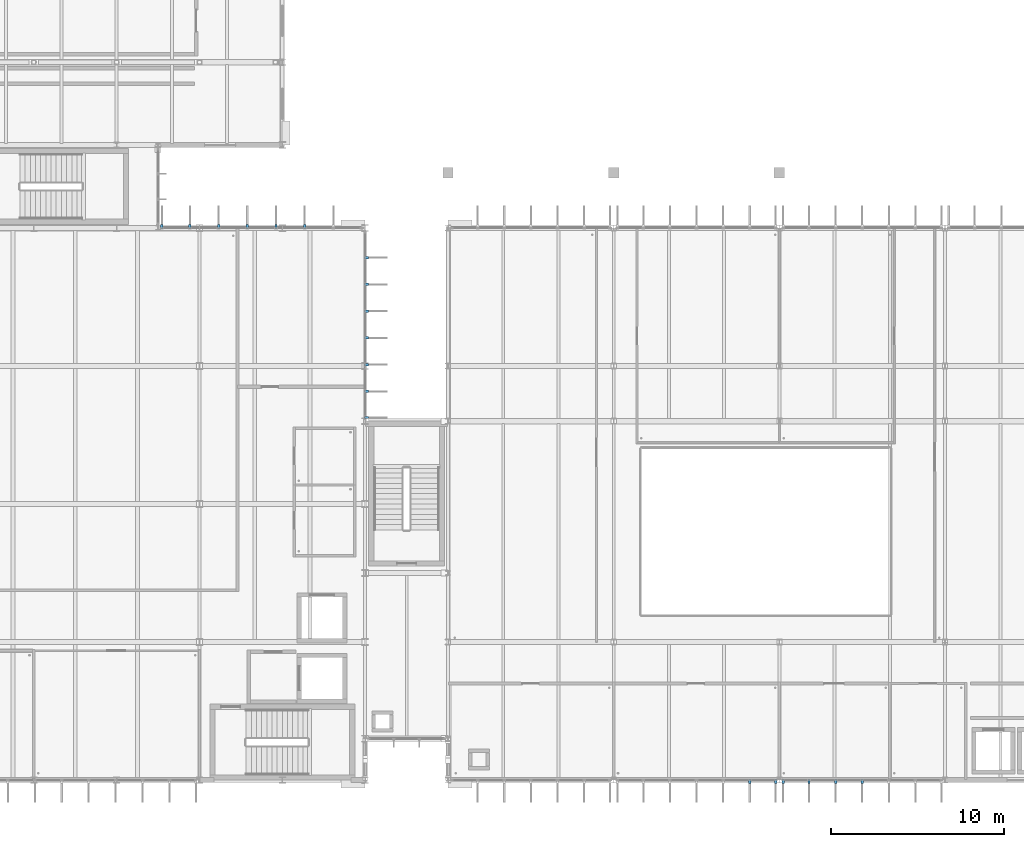
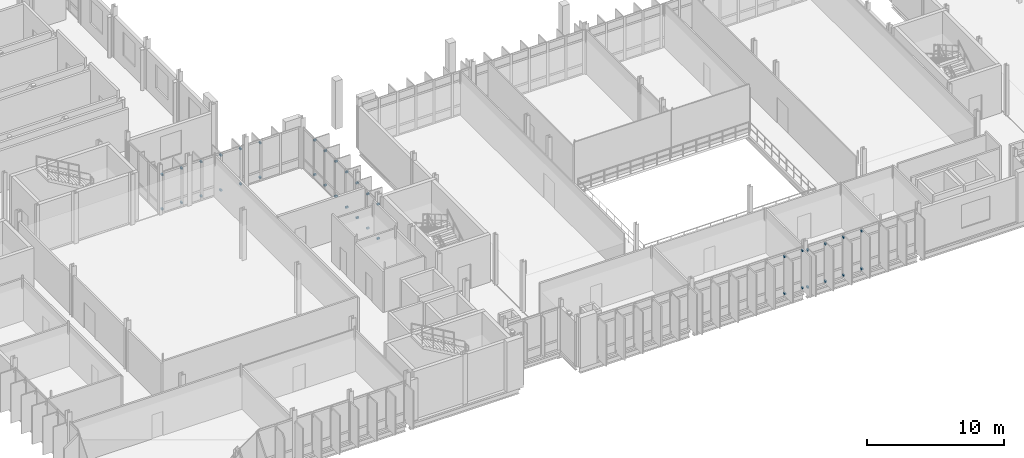
# One storey, part 94 of 110: 38 discrete accessories.
"""IFC4 building model written with IfcOpenShell, lengths in metres."""

from ifc_helpers import new_model, si_unit, direction, frame, origin, origin_2d, place, context, subcontext, project, spatial, rectangle, extrude, material, type_object, element, save


model = new_model("IFC4")

# Units and contexts
model_context = context("Model", 3, precision=1e-05, world=origin(), true_north=direction((0.0, 1.0)))
body_context = subcontext(model_context, "Body", "Model", "MODEL_VIEW")
ifc_project = project(units=[si_unit("LENGTHUNIT", "METRE"), si_unit("AREAUNIT", "SQUARE_METRE"), si_unit("VOLUMEUNIT", "CUBIC_METRE"), si_unit("PLANEANGLEUNIT", "RADIAN"), si_unit("MASSUNIT", "GRAM", prefix="KILO")], contexts=[model_context])

# Site, building, storey
site_placement = place(None, origin())
site = spatial("IfcSite", under=ifc_project, at=site_placement, CompositionType="ELEMENT")
building_placement = place(site_placement, origin())
building = spatial("IfcBuilding", under=site, at=building_placement, Name="Dunescarp Central Library", CompositionType="ELEMENT")
storey_placement = place(building_placement, frame((0.0, 0.0, 9.60009765625)))
storey = spatial("IfcBuildingStorey", under=building, at=storey_placement, Name="L02", CompositionType="ELEMENT", Elevation=9.60009765625)

# Discrete accessories
ifc_material = material(Name="Stainless steel Grade 316L", Category="steel")
discrete_accessory_type = type_object("IfcDiscreteAccessoryType", Name="ARC-ACC-BRK", PredefinedType="BRACKET", material=ifc_material)
for number, where, z_axis, x_axis, name in (
    (1, (21.81494140625, 36.8798828125, 0.27685546875), (0.0, 0.0, 1.0), (0.0, 1.0, 0.0), "Fin bracket BRK-FIN-L02-0093-B"),
    (2, (21.81494140625, 36.8798828125, 3.35498046875), (0.0, 0.0, 1.0), (0.0, 1.0, 0.0), "Fin bracket BRK-FIN-L02-0093-T"),
    (3, (23.43896484375, 36.8798828125, 0.2900390625), (0.0, 0.0, 1.0), (0.0, 1.0, 0.0), "Fin bracket BRK-FIN-L02-0094-B"),
    (4, (23.43896484375, 36.8798828125, 3.35498046875), (0.0, 0.0, 1.0), (0.0, 1.0, 0.0), "Fin bracket BRK-FIN-L02-0094-T"),
    (5, (25.10400390625, 36.8798828125, 0.27392578125), (0.0, 0.0, 1.0), (0.0, 1.0, 0.0), "Fin bracket BRK-FIN-L02-0095-B"),
    (6, (25.10400390625, 36.8798828125, 3.35498046875), (0.0, 0.0, 1.0), (0.0, 1.0, 0.0), "Fin bracket BRK-FIN-L02-0095-T"),
    (7, (26.76806640625, 36.8798828125, 0.23291015625), (0.0, 0.0, 1.0), (0.0, 1.0, 0.0), "Fin bracket BRK-FIN-L02-0096-B"),
    (8, (26.76806640625, 36.8798828125, 3.35498046875), (0.0, 0.0, 1.0), (0.0, 1.0, 0.0), "Fin bracket BRK-FIN-L02-0096-T"),
    (9, (28.431884765625, 36.8798828125, 0.18994140625), (0.0, 0.0, 1.0), (0.0, 1.0, 0.0), "Fin bracket BRK-FIN-L02-0097-B"),
    (10, (28.431884765625, 36.8798828125, 3.34375), (0.0, 0.0, 1.0), (0.0, 1.0, 0.0), "Fin bracket BRK-FIN-L02-0097-T"),
    (11, (30.095947265625, 36.8798828125, 0.18994140625), (0.0, 0.0, 1.0), (0.0, 1.0, 0.0), "Fin bracket BRK-FIN-L02-0098-B"),
    (12, (30.095947265625, 36.8798828125, 3.2939453125), (0.0, 0.0, 1.0), (0.0, 1.0, 0.0), "Fin bracket BRK-FIN-L02-0098-T"),
    (13, (33.679931640625, 35.074951171875, 0.2900390625), (0.0, 0.0, 1.0), (1.0, 0.0, 0.0), "Fin bracket BRK-FIN-L02-0113-B"),
    (14, (33.679931640625, 35.074951171875, 3.35498046875), (0.0, 0.0, 1.0), (1.0, 0.0, 0.0), "Fin bracket BRK-FIN-L02-0113-T"),
    (15, (33.679931640625, 33.52490234375, 0.27392578125), (0.0, 0.0, 1.0), (1.0, 0.0, 0.0), "Fin bracket BRK-FIN-L02-0114-B"),
    (16, (33.679931640625, 33.52490234375, 3.35498046875), (0.0, 0.0, 1.0), (1.0, 0.0, 0.0), "Fin bracket BRK-FIN-L02-0114-T"),
    (17, (33.679931640625, 31.97509765625, 0.23291015625), (0.0, 0.0, 1.0), (1.0, 0.0, 0.0), "Fin bracket BRK-FIN-L02-0115-B"),
    (18, (33.679931640625, 31.97509765625, 3.35498046875), (0.0, 0.0, 1.0), (1.0, 0.0, 0.0), "Fin bracket BRK-FIN-L02-0115-T"),
    (19, (33.679931640625, 30.425048828125, 0.18994140625), (0.0, 0.0, 1.0), (1.0, 0.0, 0.0), "Fin bracket BRK-FIN-L02-0116-B"),
    (20, (33.679931640625, 30.425048828125, 3.34375), (0.0, 0.0, 1.0), (1.0, 0.0, 0.0), "Fin bracket BRK-FIN-L02-0116-T"),
    (21, (33.679931640625, 28.875, 0.18994140625), (0.0, 0.0, 1.0), (1.0, 0.0, 0.0), "Fin bracket BRK-FIN-L02-0117-B"),
    (22, (33.679931640625, 28.875, 3.2939453125), (0.0, 0.0, 1.0), (1.0, 0.0, 0.0), "Fin bracket BRK-FIN-L02-0117-T"),
    (23, (33.679931640625, 27.324951171875, 0.18994140625), (0.0, 0.0, 1.0), (1.0, 0.0, 0.0), "Fin bracket BRK-FIN-L02-0118-B"),
    (24, (33.679931640625, 27.324951171875, 3.2607421875), (0.0, 0.0, 1.0), (1.0, 0.0, 0.0), "Fin bracket BRK-FIN-L02-0118-T"),
    (25, (33.679931640625, 25.81494140625, 0.18994140625), (0.0, 0.0, 1.0), (1.0, 0.0, 0.0), "Fin bracket BRK-FIN-L02-0119-B"),
    (26, (33.679931640625, 25.81494140625, 3.2568359375), (0.0, 0.0, 1.0), (1.0, 0.0, 0.0), "Fin bracket BRK-FIN-L02-0119-T"),
    (27, (57.385009765625, 4.719970703125, 0.27685546875), (0.0, 0.0, 1.0), (0.0, -1.0, 0.0), "Fin bracket BRK-FIN-L02-0384-B"),
    (28, (57.385009765625, 4.719970703125, 3.5947265625), (0.0, 0.0, 1.0), (0.0, -1.0, 0.0), "Fin bracket BRK-FIN-L02-0384-T"),
    (29, (55.883056640625, 4.719970703125, 0.2900390625), (0.0, 0.0, 1.0), (0.0, -1.0, 0.0), "Fin bracket BRK-FIN-L02-0385-B"),
    (30, (55.883056640625, 4.719970703125, 3.5947265625), (0.0, 0.0, 1.0), (0.0, -1.0, 0.0), "Fin bracket BRK-FIN-L02-0385-T"),
    (31, (62.39990234375, 4.719970703125, 0.23291015625), (0.0, 0.0, 1.0), (0.0, -1.0, 0.0), "Fin bracket BRK-FIN-L02-0394-B"),
    (32, (62.39990234375, 4.719970703125, 3.5947265625), (0.0, 0.0, 1.0), (0.0, -1.0, 0.0), "Fin bracket BRK-FIN-L02-0394-T"),
    (33, (60.85791015625, 4.719970703125, 0.18994140625), (0.0, 0.0, 1.0), (0.0, -1.0, 0.0), "Fin bracket BRK-FIN-L02-0395-B"),
    (34, (60.85791015625, 4.719970703125, 3.583984375), (0.0, 0.0, 1.0), (0.0, -1.0, 0.0), "Fin bracket BRK-FIN-L02-0395-T"),
    (35, (59.31689453125, 4.719970703125, 0.18994140625), (0.0, 0.0, 1.0), (0.0, -1.0, 0.0), "Fin bracket BRK-FIN-L02-0396-B"),
    (36, (59.31689453125, 4.719970703125, 3.5341796875), (0.0, 0.0, 1.0), (0.0, -1.0, 0.0), "Fin bracket BRK-FIN-L02-0396-T"),
    (37, (57.81494140625, 4.719970703125, 0.18994140625), (0.0, 0.0, 1.0), (0.0, -1.0, 0.0), "Fin bracket BRK-FIN-L02-0397-B"),
    (38, (57.81494140625, 4.719970703125, 3.5009765625), (0.0, 0.0, 1.0), (0.0, -1.0, 0.0), "Fin bracket BRK-FIN-L02-0397-T"),
):
    element("IfcDiscreteAccessory", number, at=place(storey_placement, frame(where, z_axis=z_axis, x_axis=x_axis)), inside=storey, type_object=discrete_accessory_type, Name=name, PredefinedType="BRACKET", context=body_context, shape_type="SweptSolid", body=[
        extrude(rectangle(XDim=0.219970703125, YDim=0.139892578125, at=origin_2d()), origin(), (0.0, 0.0, 1.0), 0.139892578125),
    ])

save(model, "model.ifc")
